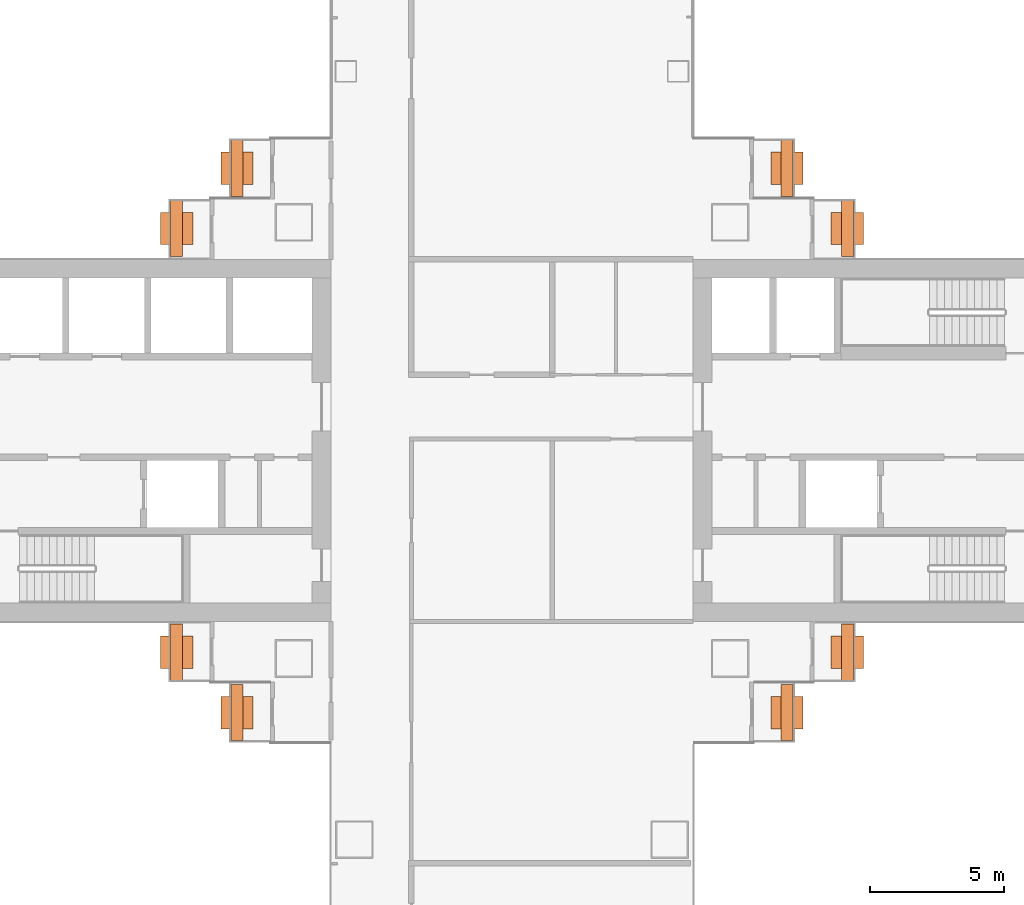
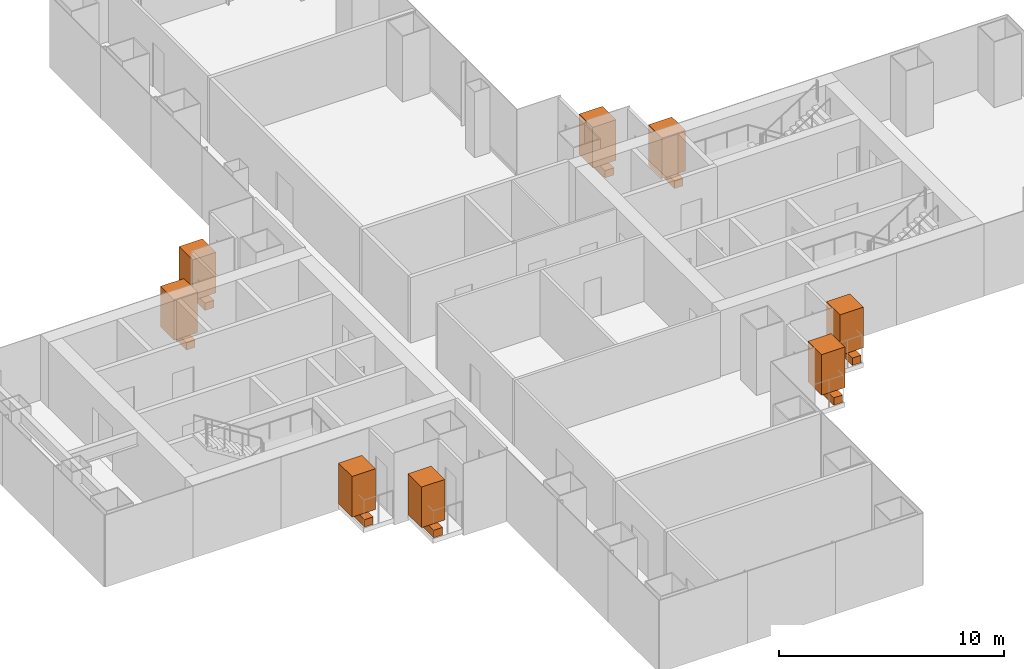
# One storey, part 22 of 22: 8 geographic elements, 8 proxies.
"""IFC4 building model written with IfcOpenShell, lengths in metres."""

from ifc_helpers import new_model, si_unit, direction, frame, origin, origin_2d, place, context, subcontext, project, spatial, rectangle, extrude, material, type_object, element, save


model = new_model("IFC4")

# Units and contexts
model_context = context("Model", 3, precision=1e-05, world=origin(), true_north=direction((0.0, 1.0)))
body_context = subcontext(model_context, "Body", "Model", "MODEL_VIEW")
ifc_project = project(units=[si_unit("LENGTHUNIT", "METRE"), si_unit("AREAUNIT", "SQUARE_METRE"), si_unit("VOLUMEUNIT", "CUBIC_METRE"), si_unit("PLANEANGLEUNIT", "RADIAN"), si_unit("MASSUNIT", "GRAM", prefix="KILO")], contexts=[model_context])

# Site, building, storey
site_placement = place(None, origin())
site = spatial("IfcSite", under=ifc_project, at=site_placement, CompositionType="ELEMENT")
building_placement = place(site_placement, origin())
building = spatial("IfcBuilding", under=site, at=building_placement, Name="Shamsa Quay Exchange Towers", CompositionType="ELEMENT")
storey_placement = place(building_placement, frame((0.0, 0.0, 69.300048828125)))
storey = spatial("IfcBuildingStorey", under=building, at=storey_placement, Name="L15", CompositionType="ELEMENT", Elevation=69.300048828125)

# Proxies
ifc_material_1 = material(Name="Reinforced concrete C30/37, black glass-fibre faced", Category="concrete")
building_element_proxy_type = type_object("IfcBuildingElementProxyType", Name="BALCONY PLANTER", PredefinedType="USERDEFINED", material=ifc_material_1)
for number, where, z_axis, x_axis, name in (
    (1, (23.5048828125, 10.14404296875, 0.0), (0.0, 0.0, 1.0), (0.0, -1.0, 0.0), "PLANTER T2-PKEN L15"),
    (2, (21.2548828125, 7.89404296875, 0.0), (0.0, 0.0, 1.0), (0.0, -1.0, 0.0), "PLANTER T2-PKEN L15"),
    (3, (43.9951171875, 10.14404296875, 0.0), (0.0, 0.0, 1.0), (0.0, 1.0, 0.0), "PLANTER T2-PKES L15"),
    (4, (46.2451171875, 7.89404296875, 0.0), (0.0, 0.0, 1.0), (0.0, 1.0, 0.0), "PLANTER T2-PKES L15"),
    (5, (21.2548828125, -7.89404296875, 0.0), (0.0, 0.0, 1.0), (0.0, -1.0, 0.0), "PLANTER T2-PKWN L15"),
    (6, (23.5048828125, -10.14404296875, 0.0), (0.0, 0.0, 1.0), (0.0, -1.0, 0.0), "PLANTER T2-PKWN L15"),
    (7, (43.9951171875, -10.14404296875, 0.0), (0.0, 0.0, 1.0), (0.0, 1.0, 0.0), "PLANTER T2-PKWS L15"),
    (8, (46.2451171875, -7.89404296875, 0.0), (0.0, 0.0, 1.0), (0.0, 1.0, 0.0), "PLANTER T2-PKWS L15"),
):
    element("IfcBuildingElementProxy", number, at=place(storey_placement, frame(where, z_axis=z_axis, x_axis=x_axis)), inside=storey, type_object=building_element_proxy_type, Name=name, ObjectType="PLANTER", PredefinedType="USERDEFINED", context=body_context, shape_type="SweptSolid", body=[
        extrude(rectangle(XDim=2.092041015625, YDim=0.449951171875, at=origin_2d()), origin(), (0.0, 0.0, 1.0), 0.39990234375),
    ])

# Geographic elements
ifc_material_2 = material(Name="Planting")
geographic_element_type = type_object("IfcGeographicElementType", Name="BALCONY TREE", PredefinedType="USERDEFINED", material=ifc_material_2)
for number, where, z_axis, x_axis, name in (
    (9, (23.5048828125, 10.14404296875, 0.39990234375), (0.0, 0.0, 1.0), (0.0, -1.0, 0.0), "TREE T2-PKEN L15"),
    (10, (21.2548828125, 7.89404296875, 0.39990234375), (0.0, 0.0, 1.0), (0.0, -1.0, 0.0), "TREE T2-PKEN L15"),
    (11, (43.9951171875, 10.14404296875, 0.39990234375), (0.0, 0.0, 1.0), (0.0, 1.0, 0.0), "TREE T2-PKES L15"),
    (12, (46.2451171875, 7.89404296875, 0.39990234375), (0.0, 0.0, 1.0), (0.0, 1.0, 0.0), "TREE T2-PKES L15"),
    (13, (21.2548828125, -7.89404296875, 0.39990234375), (0.0, 0.0, 1.0), (0.0, -1.0, 0.0), "TREE T2-PKWN L15"),
    (14, (23.5048828125, -10.14404296875, 0.39990234375), (0.0, 0.0, 1.0), (0.0, -1.0, 0.0), "TREE T2-PKWN L15"),
    (15, (43.9951171875, -10.14404296875, 0.39990234375), (0.0, 0.0, 1.0), (0.0, 1.0, 0.0), "TREE T2-PKWS L15"),
    (16, (46.2451171875, -7.89404296875, 0.39990234375), (0.0, 0.0, 1.0), (0.0, 1.0, 0.0), "TREE T2-PKWS L15"),
):
    element("IfcGeographicElement", number, at=place(storey_placement, frame(where, z_axis=z_axis, x_axis=x_axis)), inside=storey, type_object=geographic_element_type, Name=name, ObjectType="TREE", PredefinedType="USERDEFINED", context=body_context, shape_type="SweptSolid", body=[
        extrude(rectangle(XDim=1.199951171875, YDim=1.199951171875, at=origin_2d()), origin(), (0.0, 0.0, 1.0), 2.199951171875),
    ])

save(model, "model.ifc")
